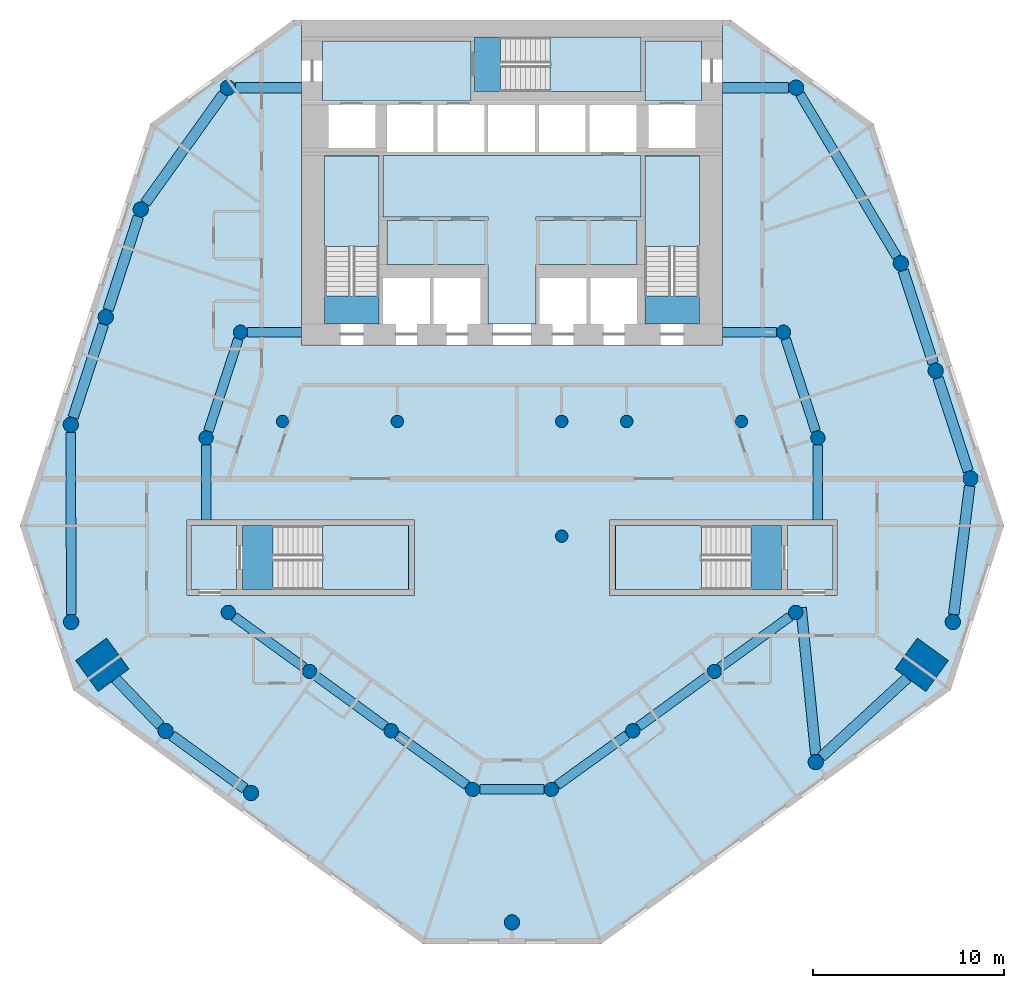
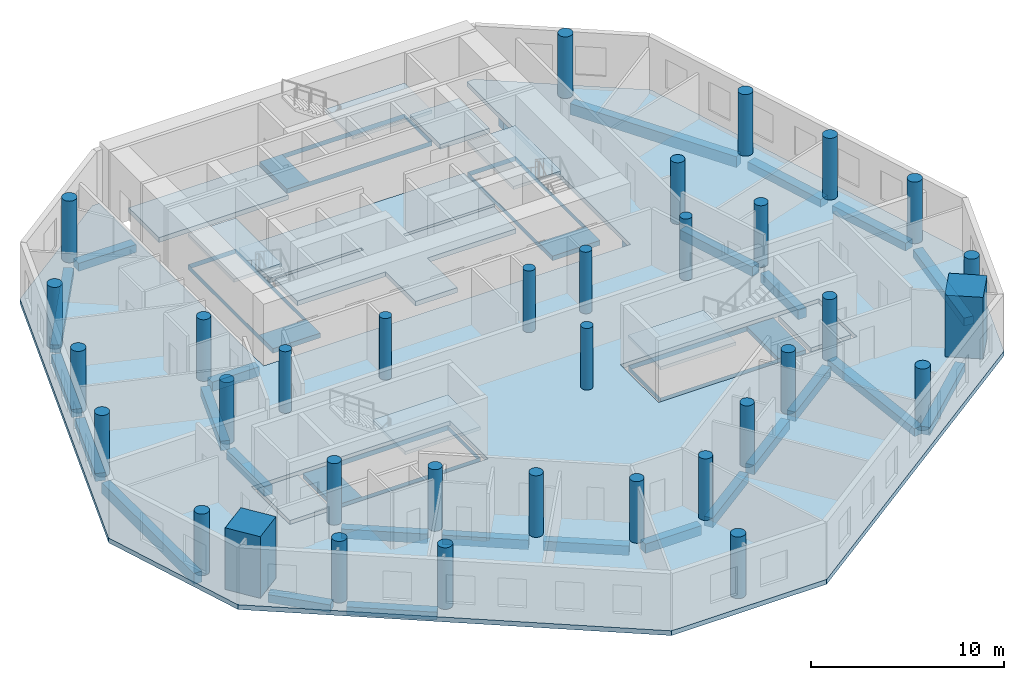
# One storey, part 1 of 9: 34 columns, 27 beams, 16 slabs, 5 elements without a shape of their own.
"""IFC4 building model written with IfcOpenShell, lengths in metres."""

import ifcopenshell
import ifcopenshell.guid

model = None  # the IFC model being written
_history = None  # IfcOwnerHistory: only IFC2X3 demands one
_inside = {}  # id of a spatial element -> (the spatial element, [elements in it])
_under = {}  # id of a project, library or spatial element -> (it, [spatial elements below it])
_declared = {}  # id of a project -> (the project, [libraries it declares])
_typed = {}  # id of a type object -> (the type object, [elements of that type])
_made_of = {}  # id of a material, layer set ... -> (it, [elements and type objects made of it])


def new_model(schema):
    """Start an empty IFC model of exactly this schema.

    Asked for "IFC4X3", IfcOpenShell would pick the latest addendum, in which some entities
    have other attributes; the version numbers below select the first issue.
    IFC2X3 requires an IfcOwnerHistory on every rooted entity: one is made here for all.
    """
    global model, _history
    if schema == "IFC4X3":
        model = ifcopenshell.file(schema_version=(4, 3, 0, 0))
    else:
        model = ifcopenshell.file(schema=schema)
    _inside.clear()
    _under.clear()
    _declared.clear()
    _typed.clear()
    _made_of.clear()
    _history = None
    if model.schema == "IFC2X3":
        org = make("IfcOrganization", Name="unknown")
        user = make(
            "IfcPersonAndOrganization",
            ThePerson=make("IfcPerson", FamilyName="unknown"),
            TheOrganization=org,
        )
        app = make(
            "IfcApplication",
            ApplicationDeveloper=org,
            Version="unknown",
            ApplicationFullName="unknown",
            ApplicationIdentifier="unknown",
        )
        _history = make(
            "IfcOwnerHistory",
            OwningUser=user,
            OwningApplication=app,
            ChangeAction="ADDED",
            CreationDate=0,
        )
    return model


def make(cls, **values):
    """One entity of the class cls with the attributes given. An attribute that is None is left unset."""
    return model.create_entity(
        cls, **{name: value for name, value in values.items() if value is not None}
    )


def rooted(cls, **values):
    """An entity with a GlobalId (a new one), such as an element, a storey or a relation."""
    return make(cls, GlobalId=ifcopenshell.guid.new(), OwnerHistory=_history, **values)


def si_unit(unit_type, name, prefix=None):
    """IfcSIUnit, for example si_unit("LENGTHUNIT", "METRE", prefix="MILLI")."""
    return make("IfcSIUnit", UnitType=unit_type, Prefix=prefix, Name=name)


def assignment(units):
    """IfcUnitAssignment: the units of a project."""
    return None if units is None else make("IfcUnitAssignment", Units=units)


def point(xyz):
    """IfcCartesianPoint."""
    return None if xyz is None else make("IfcCartesianPoint", Coordinates=xyz)


def direction(xyz):
    """IfcDirection."""
    return None if xyz is None else make("IfcDirection", DirectionRatios=xyz)


def frame(location, z_axis=None, x_axis=None):
    """IfcAxis2Placement3D, a coordinate frame: its origin and axes. An axis left out is left unset."""
    return make(
        "IfcAxis2Placement3D",
        Location=point(location),
        Axis=direction(z_axis),
        RefDirection=direction(x_axis),
    )


def frame_2d(location, x_axis=None):
    """IfcAxis2Placement2D, a coordinate frame in the plane: its origin and x axis."""
    return make(
        "IfcAxis2Placement2D", Location=point(location), RefDirection=direction(x_axis)
    )


def origin():
    """The frame at (0, 0, 0) with its axes left unset."""
    return frame((0.0, 0.0, 0.0))


def origin_2d():
    """The frame at (0, 0) in the plane with its x axis left unset."""
    return frame_2d((0.0, 0.0))


def place(relative_to, where):
    """IfcLocalPlacement: puts the frame where relative to a parent placement (None: the world)."""
    return make(
        "IfcLocalPlacement", PlacementRelTo=relative_to, RelativePlacement=where
    )


def context(
    kind, dimensions, precision=None, world=None, true_north=None, identifier=None
):
    """IfcGeometricRepresentationContext, for example the 3D "Model" context."""
    return make(
        "IfcGeometricRepresentationContext",
        ContextIdentifier=identifier,
        ContextType=kind,
        CoordinateSpaceDimension=dimensions,
        Precision=precision,
        WorldCoordinateSystem=world,
        TrueNorth=true_north,
    )


def subcontext(parent, identifier, kind, view, scale=None):
    """IfcGeometricRepresentationSubContext, for example "Body" below "Model"."""
    return make(
        "IfcGeometricRepresentationSubContext",
        ContextIdentifier=identifier,
        ContextType=kind,
        ParentContext=parent,
        TargetScale=scale,
        TargetView=view,
    )


def project(units=None, contexts=None):
    """IfcProject with its units and contexts."""
    return rooted(
        "IfcProject",
        Name="project",
        RepresentationContexts=contexts,
        UnitsInContext=assignment(units),
    )


def spatial(cls, under=None, at=None, **own):
    """A site, building, storey or space (cls), placed at a placement, below another one or the project."""
    s = rooted(cls, ObjectPlacement=at, **own)
    if under is not None:
        _under.setdefault(under.id(), (under, []))[1].append(s)
    return s


def polyline(points):
    """IfcPolyline through the points."""
    return make("IfcPolyline", Points=[point(p) for p in points])


def profile(cls, at=None, kind="AREA", **sizes):
    """A parametric profile (cls). Its sizes go by their IFC names, for example OverallWidth=200.0."""
    return make(cls, ProfileType=kind, Position=at, **sizes)


def rectangle(**sizes):
    """IfcRectangleProfileDef."""
    return profile("IfcRectangleProfileDef", **sizes)


def circle(**sizes):
    """IfcCircleProfileDef."""
    return profile("IfcCircleProfileDef", **sizes)


def outline(outer, holes=None, kind="AREA"):
    """IfcArbitraryClosedProfileDef: a profile drawn as a closed curve; with holes, ...WithVoids."""
    if holes is None:
        return make("IfcArbitraryClosedProfileDef", ProfileType=kind, OuterCurve=outer)
    return make(
        "IfcArbitraryProfileDefWithVoids",
        ProfileType=kind,
        OuterCurve=outer,
        InnerCurves=holes,
    )


def extrude(swept, where, along, depth):
    """IfcExtrudedAreaSolid: the profile swept, set in the frame where, extruded along a direction by depth."""
    return make(
        "IfcExtrudedAreaSolid",
        SweptArea=swept,
        Position=where,
        ExtrudedDirection=direction(along),
        Depth=depth,
    )


def shape(context_of_items, identifier, shape_type, items):
    """IfcShapeRepresentation: the items that make up one representation, for example the "Body"."""
    return make(
        "IfcShapeRepresentation",
        ContextOfItems=context_of_items,
        RepresentationIdentifier=identifier,
        RepresentationType=shape_type,
        Items=items,
    )


def material(Name=None, Category=None):
    """IfcMaterial."""
    return make("IfcMaterial", Name=Name, Category=Category)


def layer(
    of_material, thickness, ventilated=None, Name=None, Category=None, Priority=None
):
    """IfcMaterialLayer: one layer of a wall or slab, of a material (None: an air gap)."""
    return make(
        "IfcMaterialLayer",
        Material=of_material,
        LayerThickness=thickness,
        IsVentilated=ventilated,
        Name=Name,
        Category=Category,
        Priority=Priority,
    )


def layer_set(layers, Name=None):
    """IfcMaterialLayerSet."""
    return make("IfcMaterialLayerSet", MaterialLayers=layers, LayerSetName=Name)


def material_profile(
    of_material, cross_section, Name=None, Category=None, Priority=None
):
    """IfcMaterialProfile: a cross section and its material."""
    return make(
        "IfcMaterialProfile",
        Name=Name,
        Material=of_material,
        Profile=cross_section,
        Priority=Priority,
        Category=Category,
    )


def profile_set(profiles, Name=None, composite=None):
    """IfcMaterialProfileSet."""
    return make(
        "IfcMaterialProfileSet",
        Name=Name,
        MaterialProfiles=profiles,
        CompositeProfile=composite,
    )


def made_of(thing, what):
    """Note that an element or type object is made of a material, layer set ...; save() writes the relation."""
    if what is not None:
        _made_of.setdefault(what.id(), (what, []))[1].append(thing)
    return thing


def type_object(cls, material=None, **own):
    """A type object (cls), such as IfcWallType, which elements share."""
    return made_of(rooted(cls, **own), material)


def element(
    cls,
    number,
    at=None,
    inside=None,
    cuts=None,
    type_object=None,
    material=None,
    context=None,
    identifier="Body",
    shape_type=None,
    held_by="IfcProductDefinitionShape",
    body=None,
    shapes=None,
    **own,
):
    """One element of the class cls, such as IfcWall. Its Tag is "e" and its number.

    at: its placement. inside: the storey or other place that contains it. cuts: it is an
    opening in that element (IfcRelVoidsElement). A single representation is given by context,
    identifier, shape_type and body (its items); several are given by shapes. held_by: the class
    of the entity that holds the representations. save() writes the other relations.
    """
    e = rooted(cls, Tag="e%d" % number, ObjectPlacement=at, **own)
    if body is not None:
        shapes = [shape(context, identifier, shape_type, body)]
    if shapes is not None:
        e.Representation = make(held_by, Representations=shapes)
    if inside is not None:
        _inside.setdefault(inside.id(), (inside, []))[1].append(e)
    if cuts is not None:
        rooted(
            "IfcRelVoidsElement", RelatingBuildingElement=cuts, RelatedOpeningElement=e
        )
    if type_object is not None:
        _typed.setdefault(type_object.id(), (type_object, []))[1].append(e)
    return made_of(e, material)


def aggregate(whole, parts):
    """IfcRelAggregates: a whole, such as a stair, and the parts it consists of."""
    return rooted("IfcRelAggregates", RelatingObject=whole, RelatedObjects=parts)


def save(model, path):
    """Write the relations noted so far, then the file.

    IfcRelAggregates (storeys below a building ...), IfcRelContainedInSpatialStructure (elements
    in a storey), IfcRelDefinesByType, IfcRelAssociatesMaterial and IfcRelDeclares: one each for
    every whole, place, type object, material and project.
    """
    for whole, parts in _under.values():
        aggregate(whole, parts)
    for where, things in _inside.values():
        rooted(
            "IfcRelContainedInSpatialStructure",
            RelatedElements=things,
            RelatingStructure=where,
        )
    for kind, things in _typed.values():
        rooted("IfcRelDefinesByType", RelatedObjects=things, RelatingType=kind)
    for what, things in _made_of.values():
        rooted("IfcRelAssociatesMaterial", RelatedObjects=things, RelatingMaterial=what)
    for by, libraries in _declared.values():
        rooted("IfcRelDeclares", RelatingContext=by, RelatedDefinitions=libraries)
    model.write(path)


model = new_model("IFC4")

# Units and contexts
model_context = context("Model", 3, precision=1e-05, world=origin(), true_north=direction((0.0, 1.0)))
body_context = subcontext(model_context, "Body", "Model", "MODEL_VIEW")
ifc_project = project(units=[si_unit("LENGTHUNIT", "METRE"), si_unit("AREAUNIT", "SQUARE_METRE"), si_unit("VOLUMEUNIT", "CUBIC_METRE"), si_unit("PLANEANGLEUNIT", "RADIAN"), si_unit("MASSUNIT", "GRAM", prefix="KILO")], contexts=[model_context])

# Site, building, storey
site_placement = place(None, origin())
site = spatial("IfcSite", under=ifc_project, at=site_placement, CompositionType="ELEMENT")
building_placement = place(site_placement, origin())
building = spatial("IfcBuilding", under=site, at=building_placement, Name="White Candle Pilgrim Tower", CompositionType="ELEMENT")
storey_placement = place(building_placement, frame((0.0, 0.0, 118.10009765625)))
storey = spatial("IfcBuildingStorey", under=building, at=storey_placement, Name="L26", CompositionType="ELEMENT", Elevation=118.10009765625)

# Columns
ifc_material_1 = material(Name="Concrete C80/95", Category="concrete")
ifc_material_profile_1 = material_profile(ifc_material_1, circle(Radius=0.324951171875, at=origin_2d()), Name="RC-COL D650")
ifc_profile_set_1 = profile_set([ifc_material_profile_1], Name="Concrete C80/95")
column_type_1 = type_object("IfcColumnType", Name="Interior column RC-COL D650 C80/95", PredefinedType="COLUMN", material=ifc_profile_set_1)
for number, where, z_axis, x_axis, name in (
    (1, (58.0, 67.0, 0.0), (0.0, 0.0, 1.0), (1.0, 0.0, 0.0), "L26 column I01"),
    (2, (64.0, 67.0, 0.0), (0.0, 0.0, 1.0), (1.0, 0.0, 0.0), "L26 column I02"),
    (3, (72.60009765625, 61.0, 0.0), (0.0, 0.0, 1.0), (1.0, 0.0, 0.0), "L26 column I03"),
    (4, (72.60009765625, 67.0, 0.0), (0.0, 0.0, 1.0), (1.0, 0.0, 0.0), "L26 column I04"),
    (5, (76.0, 67.0, 0.0), (0.0, 0.0, 1.0), (1.0, 0.0, 0.0), "L26 column I05"),
    (6, (82.0, 67.0, 0.0), (0.0, 0.0, 1.0), (1.0, 0.0, 0.0), "L26 column I06"),
):
    element("IfcColumn", number, at=place(storey_placement, frame(where, z_axis=z_axis, x_axis=x_axis)), inside=storey, type_object=column_type_1, Name=name, PredefinedType="COLUMN", context=body_context, shape_type="SweptSolid", body=[
        extrude(circle(Radius=0.324951171875, at=origin_2d()), origin(), (0.0, 0.0, 1.0), 3.89990234375),
    ])
ifc_material_profile_2 = material_profile(ifc_material_1, rectangle(XDim=2.0, YDim=2.0, at=origin_2d()), Name="RC 2000x2000")
ifc_profile_set_2 = profile_set([ifc_material_profile_2], Name="Concrete C80/95")
column_type_2 = type_object("IfcColumnType", Name="Mega column RC 2000x2000 C80/95", PredefinedType="COLUMN", material=ifc_profile_set_2)
for number, where, z_axis, x_axis, name in (
    (7, (48.570068359375, 54.27001953125, 0.0), (0.0, 0.0, 1.0), (-0.809016994375, -0.587785252292, 0.0), "L26 mega column T02"),
    (8, (91.429931640625, 54.27001953125, 0.0), (0.0, 0.0, 1.0), (0.809016994375, -0.587785252292, 0.0), "L26 mega column T07"),
):
    element("IfcColumn", number, at=place(storey_placement, frame(where, z_axis=z_axis, x_axis=x_axis)), inside=storey, type_object=column_type_2, Name=name, PredefinedType="COLUMN", context=body_context, shape_type="SweptSolid", body=[
        extrude(rectangle(XDim=2.0, YDim=2.0, at=origin_2d()), origin(), (0.0, 0.0, 1.0), 3.89990234375),
    ])
ifc_material_profile_3 = material_profile(ifc_material_1, circle(Radius=0.39990234375, at=origin_2d()), Name="RC-COL D800")
ifc_profile_set_3 = profile_set([ifc_material_profile_3], Name="Concrete C80/95")
column_type_3 = type_object("IfcColumnType", Name="Perimeter column RC-COL D800 C80/95", PredefinedType="COLUMN", material=ifc_profile_set_3)
for number, where, z_axis, x_axis, name in (
    (9, (46.93994140625, 56.510009765625, 0.0), (0.0, 0.0, 1.0), (1.0, 0.0, 0.0), "L26 column T01"),
    (10, (51.8798828125, 50.81005859375, 0.0), (0.0, 0.0, 1.0), (1.0, 0.0, 0.0), "L26 column T03"),
    (11, (56.35009765625, 47.56005859375, 0.0), (0.0, 0.0, 1.0), (1.0, 0.0, 0.0), "L26 column T04"),
    (12, (70.0, 40.800048828125, 0.0), (0.0, 0.0, 1.0), (1.0, 0.0, 0.0), "L26 column T05"),
    (13, (85.889892578125, 49.179931640625, 0.0), (0.0, 0.0, 1.0), (1.0, 0.0, 0.0), "L26 column T06"),
    (14, (93.06005859375, 56.510009765625, 0.0), (0.0, 0.0, 1.0), (1.0, 0.0, 0.0), "L26 column T08"),
    (15, (93.989990234375, 64.02001953125, 0.0), (0.0, 0.0, 1.0), (1.0, 0.0, 0.0), "L26 column T09"),
    (16, (92.159912109375, 69.64990234375, 0.0), (0.0, 0.0, 1.0), (1.0, 0.0, 0.0), "L26 column T10"),
    (17, (90.340087890625, 75.27001953125, 0.0), (0.0, 0.0, 1.0), (1.0, 0.0, 0.0), "L26 column T11"),
    (18, (84.860107421875, 84.4599609375, 0.0), (0.0, 0.0, 1.0), (1.0, 0.0, 0.0), "L26 column T12"),
    (19, (55.139892578125, 84.4599609375, 0.0), (0.0, 0.0, 1.0), (1.0, 0.0, 0.0), "L26 column T13"),
    (20, (50.580078125, 78.090087890625, 0.0), (0.0, 0.0, 1.0), (1.0, 0.0, 0.0), "L26 column T14"),
    (21, (48.75, 72.4599609375, 0.0), (0.0, 0.0, 1.0), (1.0, 0.0, 0.0), "L26 column T15"),
    (22, (46.919921875, 66.830078125, 0.0), (0.0, 0.0, 1.0), (1.0, 0.0, 0.0), "L26 column T16"),
):
    element("IfcColumn", number, at=place(storey_placement, frame(where, z_axis=z_axis, x_axis=x_axis)), inside=storey, type_object=column_type_3, Name=name, PredefinedType="COLUMN", context=body_context, shape_type="SweptSolid", body=[
        extrude(circle(Radius=0.39990234375, at=origin_2d()), origin(), (0.0, 0.0, 1.0), 3.89990234375),
    ])
ifc_material_profile_4 = material_profile(ifc_material_1, circle(Radius=0.375, at=origin_2d()), Name="RC-COL D750")
ifc_profile_set_4 = profile_set([ifc_material_profile_4], Name="Concrete C80/95")
column_type_4 = type_object("IfcColumnType", Name="Ring column RC-COL D750 C80/95", PredefinedType="COLUMN", material=ifc_profile_set_4)
for number, where, z_axis, x_axis, name in (
    (23, (55.159912109375, 57.010009765625, 0.0), (0.0, 0.0, 1.0), (1.0, 0.0, 0.0), "L26 column R01"),
    (24, (59.419921875, 53.919921875, 0.0), (0.0, 0.0, 1.0), (1.0, 0.0, 0.0), "L26 column R02"),
    (25, (63.679931640625, 50.820068359375, 0.0), (0.0, 0.0, 1.0), (1.0, 0.0, 0.0), "L26 column R03"),
    (26, (67.93994140625, 47.75, 0.0), (0.0, 0.0, 1.0), (1.0, 0.0, 0.0), "L26 column R04"),
    (27, (72.06005859375, 47.75, 0.0), (0.0, 0.0, 1.0), (1.0, 0.0, 0.0), "L26 column R05"),
    (28, (76.320068359375, 50.820068359375, 0.0), (0.0, 0.0, 1.0), (1.0, 0.0, 0.0), "L26 column R06"),
    (29, (80.580078125, 53.919921875, 0.0), (0.0, 0.0, 1.0), (1.0, 0.0, 0.0), "L26 column R07"),
    (30, (84.840087890625, 57.010009765625, 0.0), (0.0, 0.0, 1.0), (1.0, 0.0, 0.0), "L26 column R08"),
    (31, (86.0, 66.139892578125, 0.0), (0.0, 0.0, 1.0), (1.0, 0.0, 0.0), "L26 column R09"),
    (32, (84.199951171875, 71.669921875, 0.0), (0.0, 0.0, 1.0), (1.0, 0.0, 0.0), "L26 column R10"),
    (33, (55.800048828125, 71.669921875, 0.0), (0.0, 0.0, 1.0), (1.0, 0.0, 0.0), "L26 column R11"),
    (34, (54.0, 66.139892578125, 0.0), (0.0, 0.0, 1.0), (1.0, 0.0, 0.0), "L26 column R12"),
):
    element("IfcColumn", number, at=place(storey_placement, frame(where, z_axis=z_axis, x_axis=x_axis)), inside=storey, type_object=column_type_4, Name=name, PredefinedType="COLUMN", context=body_context, shape_type="SweptSolid", body=[
        extrude(circle(Radius=0.375, at=origin_2d()), origin(), (0.0, 0.0, 1.0), 3.89990234375),
    ])

# Beams
ifc_material_2 = material(Name="Concrete C50/60", Category="concrete")
ifc_material_profile_5 = material_profile(ifc_material_2, rectangle(XDim=0.5, YDim=0.60009765625, at=origin_2d()), Name="RC-BM 500x600")
ifc_profile_set_5 = profile_set([ifc_material_profile_5], Name="Concrete C50/60")
beam_type_1 = type_object("IfcBeamType", Name="Ring beam RC-BM 500x600 C50/60", PredefinedType="BEAM", material=ifc_profile_set_5)
beam_1_placement = place(storey_placement, frame((55.46337890625, 56.789794921875, -0.60009765625), z_axis=(0.809505029053, -0.587112943084, 0.0), x_axis=(0.587112943084, 0.809505029053, 0.0)))
element("IfcBeam", 35, at=beam_1_placement, inside=storey, type_object=beam_type_1, Name="L26 ring beam R01", PredefinedType="BEAM", context=body_context, shape_type="SweptSolid", body=[
    extrude(rectangle(XDim=0.5, YDim=0.60009765625, at=origin_2d()), origin(), (0.0, 0.0, 1.0), 4.512939453125),
])
beam_2_placement = place(storey_placement, frame((59.72314453125, 53.699462890625, -0.60009765625), z_axis=(0.808565500751, -0.588406178583, 0.0), x_axis=(0.588406178583, 0.808565500751, 0.0)))
element("IfcBeam", 36, at=beam_2_placement, inside=storey, type_object=beam_type_1, Name="L26 ring beam R02", PredefinedType="BEAM", context=body_context, shape_type="SweptSolid", body=[
    extrude(rectangle(XDim=0.5, YDim=0.60009765625, at=origin_2d()), origin(), (0.0, 0.0, 1.0), 4.518798828125),
])
beam_3_placement = place(storey_placement, frame((63.984130859375, 50.600830078125, -0.60009765625), z_axis=(0.811270905805, -0.584670434856, 0.0), x_axis=(0.584670434856, 0.811270905805, 0.0)))
element("IfcBeam", 37, at=beam_3_placement, inside=storey, type_object=beam_type_1, Name="L26 ring beam R03", PredefinedType="BEAM", context=body_context, shape_type="SweptSolid", body=[
    extrude(rectangle(XDim=0.5, YDim=0.60009765625, at=origin_2d()), origin(), (0.0, 0.0, 1.0), 4.50146484375),
])
beam_4_placement = place(storey_placement, frame((68.31494140625, 47.75, -0.60009765625), z_axis=(1.0, 0.0, 0.0), x_axis=(0.0, 1.0, 0.0)))
element("IfcBeam", 38, at=beam_4_placement, inside=storey, type_object=beam_type_1, Name="L26 ring beam R04", PredefinedType="BEAM", context=body_context, shape_type="SweptSolid", body=[
    extrude(rectangle(XDim=0.5, YDim=0.60009765625, at=origin_2d()), origin(), (0.0, 0.0, 1.0), 3.3701171875),
])
beam_5_placement = place(storey_placement, frame((72.364013671875, 47.968994140625, -0.60009765625), z_axis=(0.811270905805, 0.584670434856, 0.0), x_axis=(-0.584670434856, 0.811270905805, 0.0)))
element("IfcBeam", 39, at=beam_5_placement, inside=storey, type_object=beam_type_1, Name="L26 ring beam R05", PredefinedType="BEAM", context=body_context, shape_type="SweptSolid", body=[
    extrude(rectangle(XDim=0.5, YDim=0.60009765625, at=origin_2d()), origin(), (0.0, 0.0, 1.0), 4.50146484375),
])
beam_6_placement = place(storey_placement, frame((76.623046875, 51.04052734375, -0.60009765625), z_axis=(0.808565500751, 0.588406178583, 0.0), x_axis=(-0.588406178583, 0.808565500751, 0.0)))
element("IfcBeam", 40, at=beam_6_placement, inside=storey, type_object=beam_type_1, Name="L26 ring beam R06", PredefinedType="BEAM", context=body_context, shape_type="SweptSolid", body=[
    extrude(rectangle(XDim=0.5, YDim=0.60009765625, at=origin_2d()), origin(), (0.0, 0.0, 1.0), 4.518798828125),
])
beam_7_placement = place(storey_placement, frame((80.88330078125, 54.14013671875, -0.60009765625), z_axis=(0.809505029053, 0.587112943084, 0.0), x_axis=(-0.587112943084, 0.809505029053, 0.0)))
element("IfcBeam", 41, at=beam_7_placement, inside=storey, type_object=beam_type_1, Name="L26 ring beam R07", PredefinedType="BEAM", context=body_context, shape_type="SweptSolid", body=[
    extrude(rectangle(XDim=0.5, YDim=0.60009765625, at=origin_2d()), origin(), (0.0, 0.0, 1.0), 4.512939453125),
])
beam_8_placement = place(storey_placement, frame((86.0, 65.764892578125, -0.60009765625), z_axis=(0.0, -1.0, 0.0), x_axis=(1.0, 0.0, 0.0)))
element("IfcBeam", 42, at=beam_8_placement, inside=storey, type_object=beam_type_1, Name="L26 ring beam R08", PredefinedType="BEAM", context=body_context, shape_type="SweptSolid", body=[
    extrude(rectangle(XDim=0.5, YDim=0.60009765625, at=origin_2d()), origin(), (0.0, 0.0, 1.0), 3.914794921875),
])
beam_9_placement = place(storey_placement, frame((85.884033203125, 66.49658203125, -0.60009765625), z_axis=(-0.309554632353, 0.950881659087, 0.0), x_axis=(-0.950881659087, -0.309554632353, 0.0)))
element("IfcBeam", 43, at=beam_9_placement, inside=storey, type_object=beam_type_1, Name="L26 ring beam R09", PredefinedType="BEAM", context=body_context, shape_type="SweptSolid", body=[
    extrude(rectangle(XDim=0.5, YDim=0.60009765625, at=origin_2d()), origin(), (0.0, 0.0, 1.0), 5.065673828125),
])
for number, where, z_axis, x_axis, name in (
    (44, (83.824951171875, 71.669921875, -0.60009765625), (-1.0, 0.0, 0.0), (0.0, -1.0, 0.0), "L26 ring beam R10"),
    (45, (56.175048828125, 71.669921875, -0.60009765625), (1.0, 0.0, 0.0), (0.0, 1.0, 0.0), "L26 ring beam R11"),
):
    element("IfcBeam", number, at=place(storey_placement, frame(where, z_axis=z_axis, x_axis=x_axis)), inside=storey, type_object=beam_type_1, Name=name, PredefinedType="BEAM", context=body_context, shape_type="SweptSolid", body=[
        extrude(rectangle(XDim=0.5, YDim=0.60009765625, at=origin_2d()), origin(), (0.0, 0.0, 1.0), 2.824951171875),
    ])
beam_10_placement = place(storey_placement, frame((55.68408203125, 71.3134765625, -0.60009765625), z_axis=(-0.309554632353, -0.950881659087, 0.0), x_axis=(0.950881659087, -0.309554632353, 0.0)))
element("IfcBeam", 46, at=beam_10_placement, inside=storey, type_object=beam_type_1, Name="L26 ring beam R12", PredefinedType="BEAM", context=body_context, shape_type="SweptSolid", body=[
    extrude(rectangle(XDim=0.5, YDim=0.60009765625, at=origin_2d()), origin(), (0.0, 0.0, 1.0), 5.065673828125),
])
beam_11_placement = place(storey_placement, frame((54.0, 65.764892578125, -0.60009765625), z_axis=(0.0, -1.0, 0.0), x_axis=(1.0, 0.0, 0.0)))
element("IfcBeam", 47, at=beam_11_placement, inside=storey, type_object=beam_type_1, Name="L26 ring beam R13", PredefinedType="BEAM", context=body_context, shape_type="SweptSolid", body=[
    extrude(rectangle(XDim=0.5, YDim=0.60009765625, at=origin_2d()), origin(), (0.0, 0.0, 1.0), 3.914794921875),
])
ifc_material_profile_6 = material_profile(ifc_material_2, rectangle(XDim=0.5, YDim=0.699951171875, at=origin_2d()), Name="RC-BM 500x700")
ifc_profile_set_6 = profile_set([ifc_material_profile_6], Name="Concrete C50/60")
beam_type_2 = type_object("IfcBeamType", Name="Spandrel beam RC-BM 500x700 C50/60", PredefinedType="BEAM", material=ifc_profile_set_6)
beam_12_placement = place(storey_placement, frame((90.13525390625, 75.61328125, -0.650146484375), z_axis=(-0.51215480768, 0.858893155736, 0.0), x_axis=(-0.858893155736, -0.51215480768, 0.0)))
element("IfcBeam", 48, at=beam_12_placement, inside=storey, type_object=beam_type_2, Name="L26 spandrel beam T08", PredefinedType="BEAM", context=body_context, shape_type="SweptSolid", body=[
    extrude(rectangle(XDim=0.5, YDim=0.699951171875, at=origin_2d()), origin(), (0.0, 0.0, 1.0), 9.900390625),
])
beam_13_placement = place(storey_placement, frame((46.9208984375, 66.429931640625, -0.650146484375), z_axis=(0.001923369269, -0.999998150324, 0.0), x_axis=(0.999998150324, 0.001923369269, 0.0)))
element("IfcBeam", 49, at=beam_13_placement, inside=storey, type_object=beam_type_2, Name="L26 spandrel beam T14", PredefinedType="BEAM", context=body_context, shape_type="SweptSolid", body=[
    extrude(rectangle(XDim=0.5, YDim=0.699951171875, at=origin_2d()), origin(), (0.0, 0.0, 1.0), 9.52001953125),
])
ifc_material_profile_7 = material_profile(ifc_material_2, rectangle(XDim=0.550048828125, YDim=0.5, at=origin_2d()), Name="RC-BM 550x500")
ifc_profile_set_7 = profile_set([ifc_material_profile_7], Name="Concrete C50/60")
beam_type_3 = type_object("IfcBeamType", Name="Spandrel beam RC-BM 550x500 C50/60", PredefinedType="BEAM", material=ifc_profile_set_7)
beam_14_placement = place(storey_placement, frame((49.267578125, 53.540771484375, -0.550048828125), z_axis=(0.6912554522, -0.722610475847, 0.0), x_axis=(0.722610475847, 0.6912554522, 0.0)))
element("IfcBeam", 50, at=beam_14_placement, inside=storey, type_object=beam_type_3, Name="L26 spandrel beam T01", PredefinedType="BEAM", context=body_context, shape_type="SweptSolid", body=[
    extrude(rectangle(XDim=0.550048828125, YDim=0.5, at=origin_2d()), origin(), (0.0, 0.0, 1.0), 3.379150390625),
])
beam_15_placement = place(storey_placement, frame((52.203369140625, 50.574951171875, -0.550048828125), z_axis=(0.808812014489, -0.5880672795, 0.0), x_axis=(0.5880672795, 0.808812014489, 0.0)))
element("IfcBeam", 51, at=beam_15_placement, inside=storey, type_object=beam_type_3, Name="L26 spandrel beam T02", PredefinedType="BEAM", context=body_context, shape_type="SweptSolid", body=[
    extrude(rectangle(XDim=0.550048828125, YDim=0.5, at=origin_2d()), origin(), (0.0, 0.0, 1.0), 4.72705078125),
])
beam_16_placement = place(storey_placement, frame((85.889892578125, 49.580078125, -0.550048828125), z_axis=(-0.099547579937, 0.995032803142, 0.0), x_axis=(-0.995032803142, -0.099547579937, 0.0)))
element("IfcBeam", 52, at=beam_16_placement, inside=storey, type_object=beam_type_3, Name="L26 spandrel beam T03", PredefinedType="BEAM", context=body_context, shape_type="SweptSolid", body=[
    extrude(rectangle(XDim=0.550048828125, YDim=0.5, at=origin_2d()), origin(), (0.0, 0.0, 1.0), 7.715576171875),
])
beam_17_placement = place(storey_placement, frame((86.184326171875, 49.450439453125, -0.550048828125), z_axis=(0.736374917929, 0.67657370644, 0.0), x_axis=(-0.67657370644, 0.736374917929, 0.0)))
element("IfcBeam", 53, at=beam_17_placement, inside=storey, type_object=beam_type_3, Name="L26 spandrel beam T04", PredefinedType="BEAM", context=body_context, shape_type="SweptSolid", body=[
    extrude(rectangle(XDim=0.550048828125, YDim=0.5, at=origin_2d()), origin(), (0.0, 0.0, 1.0), 6.103271484375),
])
beam_18_placement = place(storey_placement, frame((93.109130859375, 56.906982421875, -0.550048828125), z_axis=(0.122911300598, 0.992417660154, 0.0), x_axis=(-0.992417660154, 0.122911300598, 0.0)))
element("IfcBeam", 54, at=beam_18_placement, inside=storey, type_object=beam_type_3, Name="L26 spandrel beam T05", PredefinedType="BEAM", context=body_context, shape_type="SweptSolid", body=[
    extrude(rectangle(XDim=0.550048828125, YDim=0.5, at=origin_2d()), origin(), (0.0, 0.0, 1.0), 6.767333984375),
])
beam_19_placement = place(storey_placement, frame((93.866455078125, 64.400390625, -0.550048828125), z_axis=(-0.309123808161, 0.95102180376, 0.0), x_axis=(-0.95102180376, -0.309123808161, 0.0)))
element("IfcBeam", 55, at=beam_19_placement, inside=storey, type_object=beam_type_3, Name="L26 spandrel beam T06", PredefinedType="BEAM", context=body_context, shape_type="SweptSolid", body=[
    extrude(rectangle(XDim=0.550048828125, YDim=0.5, at=origin_2d()), origin(), (0.0, 0.0, 1.0), 5.1201171875),
])
beam_20_placement = place(storey_placement, frame((92.036865234375, 70.030517578125, -0.550048828125), z_axis=(-0.308114253226, 0.951349361149, 0.0), x_axis=(-0.951349361149, -0.308114253226, 0.0)))
element("IfcBeam", 56, at=beam_20_placement, inside=storey, type_object=beam_type_3, Name="L26 spandrel beam T07", PredefinedType="BEAM", context=body_context, shape_type="SweptSolid", body=[
    extrude(rectangle(XDim=0.550048828125, YDim=0.5, at=origin_2d()), origin(), (0.0, 0.0, 1.0), 5.107666015625),
])
for number, where, z_axis, x_axis, name in (
    (57, (84.4599609375, 84.4599609375, -0.550048828125), (-1.0, 0.0, 0.0), (0.0, -1.0, 0.0), "L26 spandrel beam T09"),
    (58, (55.5400390625, 84.4599609375, -0.550048828125), (1.0, 0.0, 0.0), (0.0, 1.0, 0.0), "L26 spandrel beam T10"),
):
    element("IfcBeam", number, at=place(storey_placement, frame(where, z_axis=z_axis, x_axis=x_axis)), inside=storey, type_object=beam_type_3, Name=name, PredefinedType="BEAM", context=body_context, shape_type="SweptSolid", body=[
        extrude(rectangle(XDim=0.550048828125, YDim=0.5, at=origin_2d()), origin(), (0.0, 0.0, 1.0), 3.4599609375),
    ])
beam_21_placement = place(storey_placement, frame((54.9072265625, 84.135009765625, -0.550048828125), z_axis=(-0.582065224797, -0.813142099563, 0.0), x_axis=(0.813142099563, -0.582065224797, 0.0)))
element("IfcBeam", 59, at=beam_21_placement, inside=storey, type_object=beam_type_3, Name="L26 spandrel beam T11", PredefinedType="BEAM", context=body_context, shape_type="SweptSolid", body=[
    extrude(rectangle(XDim=0.550048828125, YDim=0.5, at=origin_2d()), origin(), (0.0, 0.0, 1.0), 7.034423828125),
])
for number, where, z_axis, x_axis, name in (
    (60, (50.456298828125, 77.709716796875, -0.550048828125), (-0.309123808161, -0.95102180376, 0.0), (0.95102180376, -0.309123808161, 0.0), "L26 spandrel beam T12"),
    (61, (48.62646484375, 72.07958984375, -0.550048828125), (-0.309123808161, -0.95102180376, 0.0), (0.95102180376, -0.309123808161, 0.0), "L26 spandrel beam T13"),
):
    element("IfcBeam", number, at=place(storey_placement, frame(where, z_axis=z_axis, x_axis=x_axis)), inside=storey, type_object=beam_type_3, Name=name, PredefinedType="BEAM", context=body_context, shape_type="SweptSolid", body=[
        extrude(rectangle(XDim=0.550048828125, YDim=0.5, at=origin_2d()), origin(), (0.0, 0.0, 1.0), 5.1201171875),
    ])

# Slabs
ifc_material_3 = material(Name="Concrete C40/50", Category="concrete")
ifc_layer_1 = layer(ifc_material_3, 0.300048828125)
ifc_layer_set_1 = layer_set([ifc_layer_1], Name="Core floor slab 300 mm Concrete C40/50")
slab_type_1 = type_object("IfcSlabType", Name="Core floor slab 300 mm Concrete C40/50", PredefinedType="FLOOR", material=ifc_layer_set_1)
slab_1_placement = place(storey_placement, frame((0.0, 0.0, -0.300048828125)))
element("IfcSlab", 62, at=slab_1_placement, inside=storey, type_object=slab_type_1, Name="CF-L26-01", PredefinedType="FLOOR", context=body_context, shape_type="SweptSolid", body=[
    extrude(outline(polyline([(55.60009765625, 58.199951171875), (53.199951171875, 58.199951171875), (53.199951171875, 61.550048828125), (55.60009765625, 61.550048828125), (55.60009765625, 58.199951171875)])), origin(), (0.0, 0.0, 1.0), 0.300048828125),
])
slab_2_placement = place(storey_placement, frame((0.0, 0.0, -0.300048828125)))
element("IfcSlab", 63, at=slab_2_placement, inside=storey, type_object=slab_type_1, Name="CF-L26-02", PredefinedType="FLOOR", context=body_context, shape_type="SweptSolid", body=[
    extrude(outline(polyline([(55.89990234375, 58.199951171875), (55.89990234375, 61.550048828125), (64.60009765625, 61.550048828125), (64.60009765625, 58.199951171875), (55.89990234375, 58.199951171875)]), holes=[polyline([(57.501953125, 61.548095703125), (57.501953125, 58.201904296875), (64.597900390625, 58.201904296875), (64.597900390625, 61.548095703125), (57.501953125, 61.548095703125)])]), origin(), (0.0, 0.0, 1.0), 0.300048828125),
])
slab_3_placement = place(storey_placement, frame((0.0, 0.0, -0.300048828125)))
element("IfcSlab", 64, at=slab_3_placement, inside=storey, type_object=slab_type_1, Name="CF-L26-03", PredefinedType="FLOOR", context=body_context, shape_type="SweptSolid", body=[
    extrude(outline(polyline([(75.39990234375, 58.199951171875), (75.39990234375, 61.550048828125), (84.10009765625, 61.550048828125), (84.10009765625, 58.199951171875), (75.39990234375, 58.199951171875)]), holes=[polyline([(82.498046875, 58.201904296875), (82.498046875, 61.548095703125), (75.402099609375, 61.548095703125), (75.402099609375, 58.201904296875), (82.498046875, 58.201904296875)])]), origin(), (0.0, 0.0, 1.0), 0.300048828125),
])
slab_4_placement = place(storey_placement, frame((0.0, 0.0, -0.300048828125)))
element("IfcSlab", 65, at=slab_4_placement, inside=storey, type_object=slab_type_1, Name="CF-L26-04", PredefinedType="FLOOR", context=body_context, shape_type="SweptSolid", body=[
    extrude(outline(polyline([(86.800048828125, 58.199951171875), (84.39990234375, 58.199951171875), (84.39990234375, 61.550048828125), (86.800048828125, 61.550048828125), (86.800048828125, 58.199951171875)])), origin(), (0.0, 0.0, 1.0), 0.300048828125),
])
slab_5_placement = place(storey_placement, frame((0.0, 0.0, -0.300048828125)))
element("IfcSlab", 66, at=slab_5_placement, inside=storey, type_object=slab_type_1, Name="CF-L26-05", PredefinedType="FLOOR", context=body_context, shape_type="SweptSolid", body=[
    extrude(outline(polyline([(76.75, 87.10009765625), (76.75, 86.89990234375), (76.75, 84.25), (68.050048828125, 84.25), (68.050048828125, 86.89990234375), (68.050048828125, 87.10009765625), (76.75, 87.10009765625)]), holes=[polyline([(69.402099609375, 87.097900390625), (69.402099609375, 84.251953125), (76.748046875, 84.251953125), (76.748046875, 87.097900390625), (69.402099609375, 87.097900390625)])]), origin(), (0.0, 0.0, 1.0), 0.300048828125),
])
slab_6_placement = place(storey_placement, frame((0.0, 0.0, -0.300048828125)))
element("IfcSlab", 67, at=slab_6_placement, inside=storey, type_object=slab_type_1, Name="CF-L26-06", PredefinedType="FLOOR", context=body_context, shape_type="SweptSolid", body=[
    extrude(outline(polyline([(79.89990234375, 86.89990234375), (79.89990234375, 83.75), (76.949951171875, 83.75), (76.949951171875, 84.25), (76.949951171875, 86.89990234375), (79.89990234375, 86.89990234375)])), origin(), (0.0, 0.0, 1.0), 0.300048828125),
])
slab_7_placement = place(storey_placement, frame((0.0, 0.0, -0.300048828125)))
element("IfcSlab", 68, at=slab_7_placement, inside=storey, type_object=slab_type_1, Name="CF-L26-07", PredefinedType="FLOOR", context=body_context, shape_type="SweptSolid", body=[
    extrude(outline(polyline([(76.949951171875, 72.10009765625), (76.949951171875, 74.5), (76.949951171875, 75.199951171875), (76.949951171875, 77.5), (76.949951171875, 77.699951171875), (76.949951171875, 80.89990234375), (79.800048828125, 80.89990234375), (79.800048828125, 72.10009765625), (76.949951171875, 72.10009765625)]), holes=[polyline([(76.951904296875, 73.552001953125), (79.798095703125, 73.552001953125), (79.798095703125, 80.89794921875), (76.951904296875, 80.89794921875), (76.951904296875, 73.552001953125)])]), origin(), (0.0, 0.0, 1.0), 0.300048828125),
])
slab_8_placement = place(storey_placement, frame((0.0, 0.0, -0.300048828125)))
element("IfcSlab", 69, at=slab_8_placement, inside=storey, type_object=slab_type_1, Name="CF-L26-08", PredefinedType="FLOOR", context=body_context, shape_type="SweptSolid", body=[
    extrude(outline(polyline([(68.75, 72.10009765625), (68.75, 74.5), (68.75, 75.199951171875), (63.449951171875, 75.199951171875), (63.449951171875, 77.5), (68.75, 77.5), (68.75, 77.699951171875), (63.25, 77.699951171875), (63.25, 80.89990234375), (76.75, 80.89990234375), (76.75, 77.699951171875), (71.25, 77.699951171875), (71.25, 77.5), (76.550048828125, 77.5), (76.550048828125, 75.199951171875), (71.25, 75.199951171875), (71.25, 74.5), (71.25, 72.10009765625), (68.75, 72.10009765625)])), origin(), (0.0, 0.0, 1.0), 0.300048828125),
])
slab_9_placement = place(storey_placement, frame((0.0, 0.0, -0.300048828125)))
element("IfcSlab", 70, at=slab_9_placement, inside=storey, type_object=slab_type_1, Name="CF-L26-09", PredefinedType="FLOOR", context=body_context, shape_type="SweptSolid", body=[
    extrude(outline(polyline([(60.199951171875, 72.10009765625), (60.199951171875, 80.89990234375), (63.050048828125, 80.89990234375), (63.050048828125, 77.699951171875), (63.050048828125, 77.5), (63.050048828125, 75.199951171875), (63.050048828125, 74.5), (63.050048828125, 72.10009765625), (60.199951171875, 72.10009765625)]), holes=[polyline([(60.201904296875, 73.552001953125), (63.048095703125, 73.552001953125), (63.048095703125, 80.89794921875), (60.201904296875, 80.89794921875), (60.201904296875, 73.552001953125)])]), origin(), (0.0, 0.0, 1.0), 0.300048828125),
])
slab_10_placement = place(storey_placement, frame((0.0, 0.0, -0.300048828125)))
element("IfcSlab", 71, at=slab_10_placement, inside=storey, type_object=slab_type_1, Name="CF-L26-10", PredefinedType="FLOOR", context=body_context, shape_type="SweptSolid", body=[
    extrude(outline(polyline([(60.10009765625, 86.89990234375), (67.85009765625, 86.89990234375), (67.85009765625, 84.25), (67.85009765625, 83.75), (60.10009765625, 83.75), (60.10009765625, 86.89990234375)])), origin(), (0.0, 0.0, 1.0), 0.300048828125),
])
ifc_layer_2 = layer(ifc_material_3, 0.300048828125)
ifc_layer_set_2 = layer_set([ifc_layer_2], Name="Floor slab 300 REI 120")
slab_type_2 = type_object("IfcSlabType", Name="Floor slab 300 REI 120", PredefinedType="FLOOR", material=ifc_layer_set_2)
slab_11_placement = place(storey_placement, frame((0.0, 0.0, -0.300048828125)))
element("IfcSlab", 72, at=slab_11_placement, inside=storey, type_object=slab_type_2, Name="L26 floor slab", PredefinedType="FLOOR", context=body_context, shape_type="SweptSolid", body=[
    extrude(outline(polyline([(65.348388671875, 39.666015625), (74.651611328125, 39.666015625), (92.94775390625, 52.958984375), (95.73681640625, 61.54296875), (88.903076171875, 82.57568359375), (81.43701171875, 88.0), (81.0, 88.0), (81.0, 71.0), (59.0, 71.0), (59.0, 88.0), (58.56298828125, 88.0), (51.096923828125, 82.57568359375), (44.26318359375, 61.54296875), (47.05224609375, 52.958984375), (65.348388671875, 39.666015625)]), holes=[polyline([(53.0, 57.89990234375), (53.0, 61.85009765625), (64.89990234375, 61.85009765625), (64.89990234375, 57.89990234375), (53.0, 57.89990234375)]), polyline([(75.10009765625, 57.89990234375), (75.10009765625, 61.85009765625), (87.0, 61.85009765625), (87.0, 57.89990234375), (75.10009765625, 57.89990234375)])]), origin(), (0.0, 0.0, 1.0), 0.300048828125),
])

# Stair, slab
stair_type_1 = type_object("IfcStairType", Name="Exit stair 1 flight width 1350 mm", PredefinedType="HALF_TURN_STAIR", material=ifc_material_3)
stair_1_placement = place(storey_placement, origin())
stair_1 = element("IfcStair", 73, at=stair_1_placement, inside=storey, type_object=stair_type_1, Name="L26 stair 1", PredefinedType="NOTDEFINED")
ifc_layer_3 = layer(ifc_material_3, 0.199951171875)
ifc_layer_set_3 = layer_set([ifc_layer_3], Name="Stair landing Concrete C40/50")
slab_type_3 = type_object("IfcSlabType", Name="Stair landing Concrete C40/50", PredefinedType="LANDING", material=ifc_layer_set_3)
slab_12_placement = place(storey_placement, frame((0.0, 0.0, 1.75)))
slab_12 = element("IfcSlab", 74, at=slab_12_placement, type_object=slab_type_3, Name="ST1 landing 1", PredefinedType="LANDING", context=body_context, shape_type="SweptSolid", body=[
    extrude(outline(polyline([(63.052001953125, 76.14794921875), (60.197998046875, 76.14794921875), (60.197998046875, 80.902099609375), (63.052001953125, 80.902099609375), (63.052001953125, 76.14794921875)])), origin(), (0.0, 0.0, 1.0), 0.199951171875),
])
aggregate(stair_1, [slab_12])

stair_type_2 = type_object("IfcStairType", Name="Exit stair 2 flight width 1350 mm", PredefinedType="HALF_TURN_STAIR", material=ifc_material_3)
stair_2_placement = place(storey_placement, origin())
stair_2 = element("IfcStair", 75, at=stair_2_placement, inside=storey, type_object=stair_type_2, Name="L26 stair 2", PredefinedType="NOTDEFINED")
slab_13_placement = place(storey_placement, frame((0.0, 0.0, 1.75)))
slab_13 = element("IfcSlab", 76, at=slab_13_placement, type_object=slab_type_3, Name="ST2 landing 1", PredefinedType="LANDING", context=body_context, shape_type="SweptSolid", body=[
    extrude(outline(polyline([(79.802001953125, 76.14794921875), (76.947998046875, 76.14794921875), (76.947998046875, 80.902099609375), (79.802001953125, 80.902099609375), (79.802001953125, 76.14794921875)])), origin(), (0.0, 0.0, 1.0), 0.199951171875),
])
aggregate(stair_2, [slab_13])

stair_type_3 = type_object("IfcStairType", Name="Exit stair 3 flight width 1350 mm", PredefinedType="HALF_TURN_STAIR", material=ifc_material_3)
stair_3_placement = place(storey_placement, origin())
stair_3 = element("IfcStair", 77, at=stair_3_placement, inside=storey, type_object=stair_type_3, Name="L26 stair 3", PredefinedType="NOTDEFINED")
slab_14_placement = place(storey_placement, frame((0.0, 0.0, 1.75)))
slab_14 = element("IfcSlab", 78, at=slab_14_placement, type_object=slab_type_3, Name="ST3 landing 1", PredefinedType="LANDING", context=body_context, shape_type="SweptSolid", body=[
    extrude(outline(polyline([(71.998046875, 84.248046875), (71.998046875, 87.10205078125), (76.751953125, 87.10205078125), (76.751953125, 84.248046875), (71.998046875, 84.248046875)])), origin(), (0.0, 0.0, 1.0), 0.199951171875),
])
aggregate(stair_3, [slab_14])

stair_type_4 = type_object("IfcStairType", Name="Exit stair 4 flight width 1600 mm", PredefinedType="HALF_TURN_STAIR", material=ifc_material_3)
stair_4_placement = place(storey_placement, origin())
stair_4 = element("IfcStair", 79, at=stair_4_placement, inside=storey, type_object=stair_type_4, Name="L26 stair 4", PredefinedType="NOTDEFINED")
slab_15_placement = place(storey_placement, frame((0.0, 0.0, 1.75)))
slab_15 = element("IfcSlab", 80, at=slab_15_placement, type_object=slab_type_3, Name="ST4 landing 1", PredefinedType="LANDING", context=body_context, shape_type="SweptSolid", body=[
    extrude(outline(polyline([(79.902099609375, 61.552001953125), (79.902099609375, 58.197998046875), (75.39794921875, 58.197998046875), (75.39794921875, 61.552001953125), (79.902099609375, 61.552001953125)])), origin(), (0.0, 0.0, 1.0), 0.199951171875),
])
aggregate(stair_4, [slab_15])

stair_type_5 = type_object("IfcStairType", Name="Exit stair 5 flight width 1600 mm", PredefinedType="HALF_TURN_STAIR", material=ifc_material_3)
stair_5_placement = place(storey_placement, origin())
stair_5 = element("IfcStair", 81, at=stair_5_placement, inside=storey, type_object=stair_type_5, Name="L26 stair 5", PredefinedType="NOTDEFINED")
slab_16_placement = place(storey_placement, frame((0.0, 0.0, 1.75)))
slab_16 = element("IfcSlab", 82, at=slab_16_placement, type_object=slab_type_3, Name="ST5 landing 1", PredefinedType="LANDING", context=body_context, shape_type="SweptSolid", body=[
    extrude(outline(polyline([(60.097900390625, 58.197998046875), (60.097900390625, 61.552001953125), (64.60205078125, 61.552001953125), (64.60205078125, 58.197998046875), (60.097900390625, 58.197998046875)])), origin(), (0.0, 0.0, 1.0), 0.199951171875),
])
aggregate(stair_5, [slab_16])

save(model, "model.ifc")
